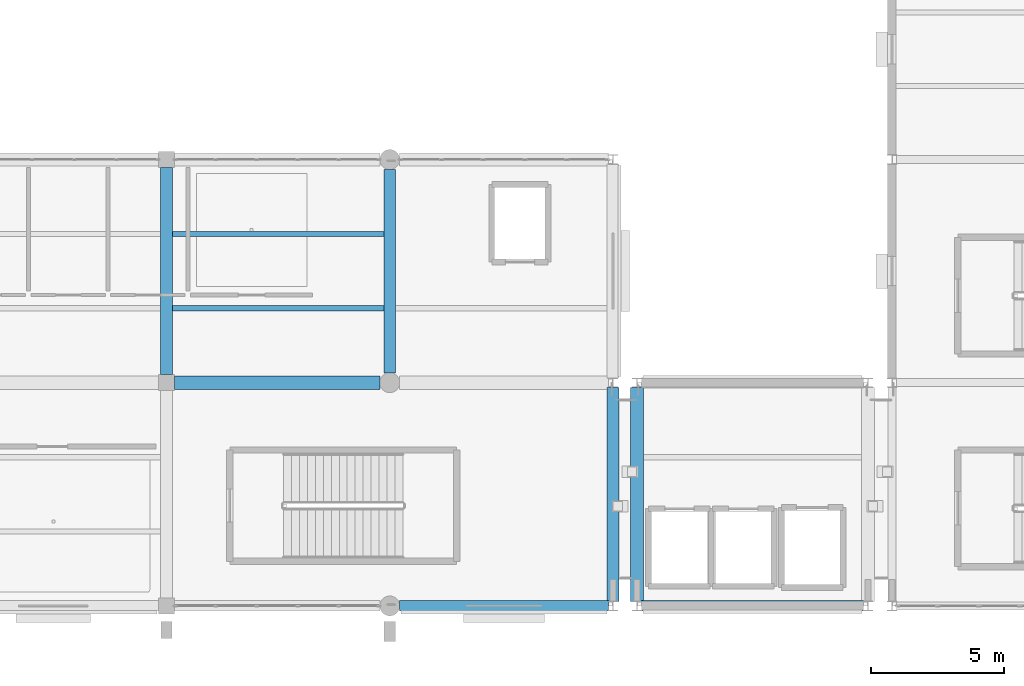
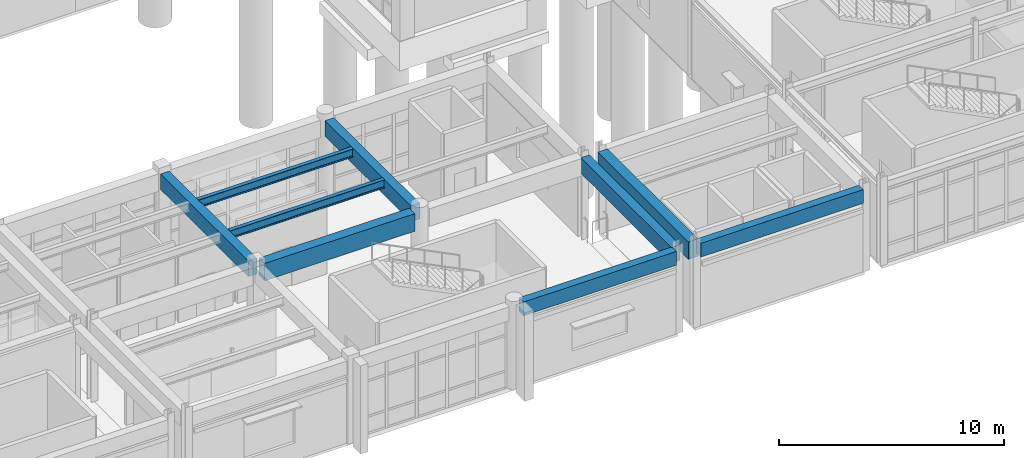
# One storey, part 21 of 139: 9 beams.
"""IFC4 building model written with IfcOpenShell, lengths in metres."""

from ifc_helpers import new_model, si_unit, direction, frame, origin, origin_2d, place, context, subcontext, project, spatial, rectangle, i_section, extrude, material, material_profile, profile_set, type_object, element, save


model = new_model("IFC4")

# Units and contexts
model_context = context("Model", 3, precision=1e-05, world=origin(), true_north=direction((0.0, 1.0)))
body_context = subcontext(model_context, "Body", "Model", "MODEL_VIEW")
ifc_project = project(units=[si_unit("LENGTHUNIT", "METRE"), si_unit("AREAUNIT", "SQUARE_METRE"), si_unit("VOLUMEUNIT", "CUBIC_METRE"), si_unit("PLANEANGLEUNIT", "RADIAN"), si_unit("MASSUNIT", "GRAM", prefix="KILO")], contexts=[model_context])

# Site, building, storey
site_placement = place(None, origin())
site = spatial("IfcSite", under=ifc_project, at=site_placement, CompositionType="ELEMENT")
building_placement = place(site_placement, origin())
building = spatial("IfcBuilding", under=site, at=building_placement, Name="Canglan Escarpment Cableway Terminal", CompositionType="ELEMENT")
storey_placement = place(building_placement, frame((0.0, 0.0, 14.39990234375)))
storey = spatial("IfcBuildingStorey", under=building, at=storey_placement, Name="L03", CompositionType="ELEMENT", Elevation=14.39990234375)

# Beams
ifc_material_1 = material(Name="Concrete C40", Category="concrete")
ifc_material_profile_1 = material_profile(ifc_material_1, rectangle(XDim=0.449951171875, YDim=0.85009765625, at=origin_2d()), Name="RC 450x850")
ifc_profile_set_1 = profile_set([ifc_material_profile_1], Name="Concrete C40")
beam_type_1 = type_object("IfcBeamType", Name="BM-RC450x850", PredefinedType="BEAM", material=ifc_profile_set_1)
beam_1_placement = place(storey_placement, frame((119.89990234375, 16.699951171875, 4.05517578125), z_axis=(0.0, 1.0, 0.0), x_axis=(-1.0, 0.0, 0.0)))
element("IfcBeam", 1, at=beam_1_placement, inside=storey, type_object=beam_type_1, Name="Primary transverse girder B-02", PredefinedType="BEAM", context=body_context, shape_type="SweptSolid", body=[
    extrude(rectangle(XDim=0.449951171875, YDim=0.85009765625, at=origin_2d()), origin(), (0.0, 0.0, 1.0), 7.800048828125),
])
beam_2_placement = place(storey_placement, frame((128.300048828125, 16.77490234375, 4.05517578125), z_axis=(0.0, 1.0, 0.0), x_axis=(-1.0, 0.0, 0.0)))
element("IfcBeam", 2, at=beam_2_placement, inside=storey, type_object=beam_type_1, Name="Primary transverse girder B-02", PredefinedType="BEAM", context=body_context, shape_type="SweptSolid", body=[
    extrude(rectangle(XDim=0.449951171875, YDim=0.85009765625, at=origin_2d()), origin(), (0.0, 0.0, 1.0), 7.650146484375),
])
beam_3_placement = place(storey_placement, frame((136.699951171875, 8.175048828125, 4.0751953125), z_axis=(0.0, 1.0, 0.0), x_axis=(-1.0, 0.0, 0.0)))
element("IfcBeam", 3, at=beam_3_placement, inside=storey, type_object=beam_type_1, Name="Primary transverse girder B-02", PredefinedType="BEAM", context=body_context, shape_type="SweptSolid", body=[
    extrude(rectangle(XDim=0.449951171875, YDim=0.85009765625, at=origin_2d()), origin(), (0.0, 0.0, 1.0), 8.050048828125),
])
ifc_material_2 = material(Name="Concrete C50", Category="concrete")
ifc_material_profile_2 = material_profile(ifc_material_2, rectangle(XDim=0.5, YDim=0.949951171875, at=origin_2d()), Name="RC 500x950")
ifc_profile_set_2 = profile_set([ifc_material_profile_2], Name="Concrete C50")
beam_type_2 = type_object("IfcBeamType", Name="BM-RC500x950", PredefinedType="BEAM", material=ifc_profile_set_2)
beam_4_placement = place(storey_placement, frame((120.199951171875, 16.39990234375, 4.025146484375), z_axis=(1.0, 0.0, 0.0), x_axis=(0.0, 1.0, 0.0)))
element("IfcBeam", 4, at=beam_4_placement, inside=storey, type_object=beam_type_2, Name="Primary structural girder B-01", PredefinedType="BEAM", context=body_context, shape_type="SweptSolid", body=[
    extrude(rectangle(XDim=0.5, YDim=0.949951171875, at=origin_2d()), origin(), (0.0, 0.0, 1.0), 7.72509765625),
])
beam_5_placement = place(storey_placement, frame((137.60009765625, 8.175048828125, 4.025146484375), z_axis=(0.0, 1.0, 0.0), x_axis=(-1.0, 0.0, 0.0)))
element("IfcBeam", 5, at=beam_5_placement, inside=storey, type_object=beam_type_2, Name="Primary transverse girder B-01", PredefinedType="BEAM", context=body_context, shape_type="SweptSolid", body=[
    extrude(rectangle(XDim=0.5, YDim=0.949951171875, at=origin_2d()), origin(), (0.0, 0.0, 1.0), 8.050048828125),
])
ifc_material_3 = material(Name="Steel Q355B", Category="steel")
ifc_material_profile_3 = material_profile(ifc_material_3, i_section(OverallWidth=0.199951171875, OverallDepth=0.449951171875, WebThickness=0.009033203125, FlangeThickness=0.013916015625, FilletRadius=0.01806640625, at=origin_2d()), Name="HN 450x200x9x14")
ifc_profile_set_3 = profile_set([ifc_material_profile_3], Name="Steel Q355B")
beam_type_3 = type_object("IfcBeamType", Name="JS-HN450", PredefinedType="JOIST", material=ifc_profile_set_3)
for number, where, z_axis, x_axis, name in (
    (6, (120.125, 19.199951171875, 4.275146484375), (1.0, 0.0, 0.0), (0.0, 1.0, 0.0), "Secondary composite deck joist J-02"),
    (7, (120.125, 22.0, 4.255126953125), (1.0, 0.0, 0.0), (0.0, 1.0, 0.0), "Secondary composite deck joist J-02"),
):
    element("IfcBeam", number, at=place(storey_placement, frame(where, z_axis=z_axis, x_axis=x_axis)), inside=storey, type_object=beam_type_3, Name=name, PredefinedType="JOIST", context=body_context, shape_type="SweptSolid", body=[
        extrude(i_section(OverallWidth=0.199951171875, OverallDepth=0.449951171875, WebThickness=0.009033203125, FlangeThickness=0.013916015625, FilletRadius=0.01806640625, at=origin_2d()), origin(), (0.0, 0.0, 1.0), 7.949951171875),
    ])
ifc_material_profile_4 = material_profile(ifc_material_1, rectangle(XDim=0.39990234375, YDim=0.75, at=origin_2d()), Name="RC 400x750")
ifc_profile_set_4 = profile_set([ifc_material_profile_4], Name="Concrete C40")
beam_type_4 = type_object("IfcBeamType", Name="SP-RC400x750", PredefinedType="SPANDREL", material=ifc_profile_set_4)
beam_6_placement = place(storey_placement, frame((128.675048828125, 8.0, 4.125), z_axis=(1.0, 0.0, 0.0), x_axis=(0.0, 1.0, 0.0)))
element("IfcBeam", 8, at=beam_6_placement, inside=storey, type_object=beam_type_4, Name="Primary structural girder SP-01", PredefinedType="SPANDREL", context=body_context, shape_type="SweptSolid", body=[
    extrude(rectangle(XDim=0.39990234375, YDim=0.75, at=origin_2d()), origin(), (0.0, 0.0, 1.0), 7.849853515625),
])
beam_7_placement = place(storey_placement, frame((137.77490234375, 8.0, 4.125), z_axis=(1.0, 0.0, 0.0), x_axis=(0.0, 1.0, 0.0)))
element("IfcBeam", 9, at=beam_7_placement, inside=storey, type_object=beam_type_4, Name="Primary structural girder SP-01", PredefinedType="SPANDREL", context=body_context, shape_type="SweptSolid", body=[
    extrude(rectangle(XDim=0.39990234375, YDim=0.75, at=origin_2d()), origin(), (0.0, 0.0, 1.0), 8.35009765625),
])

save(model, "model.ifc")
